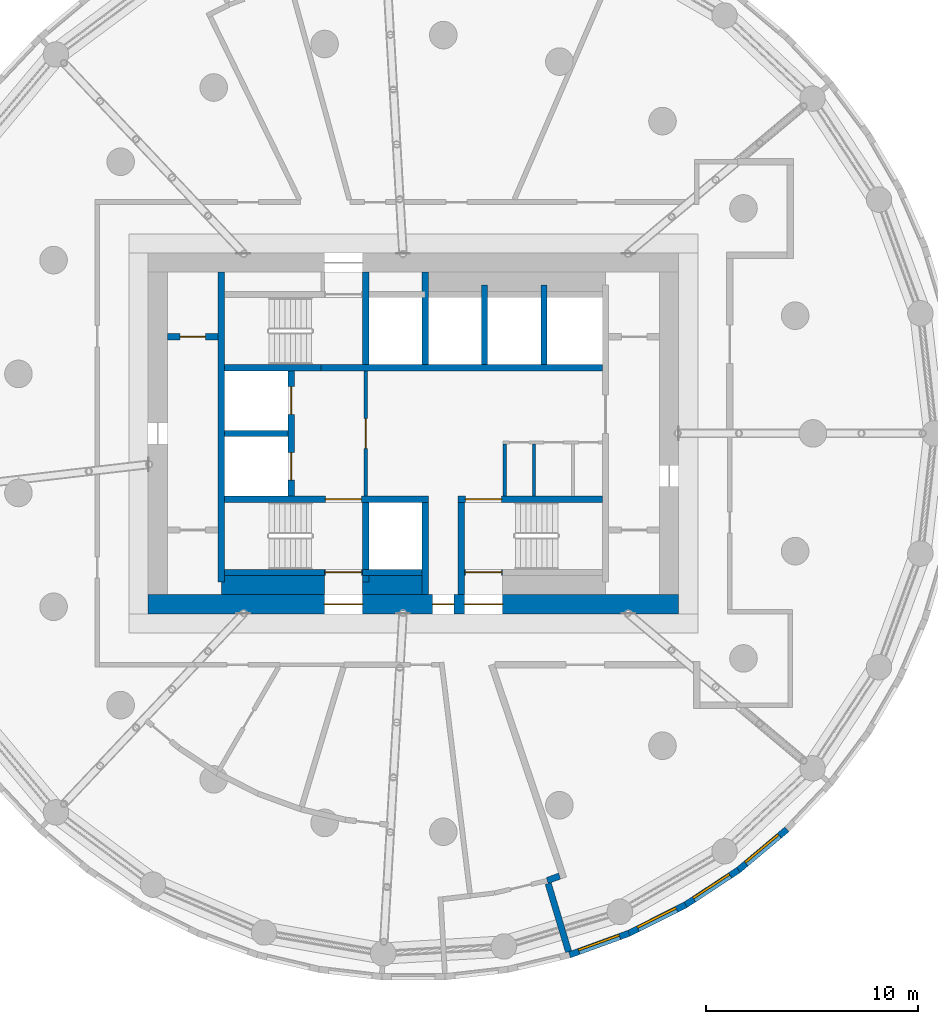
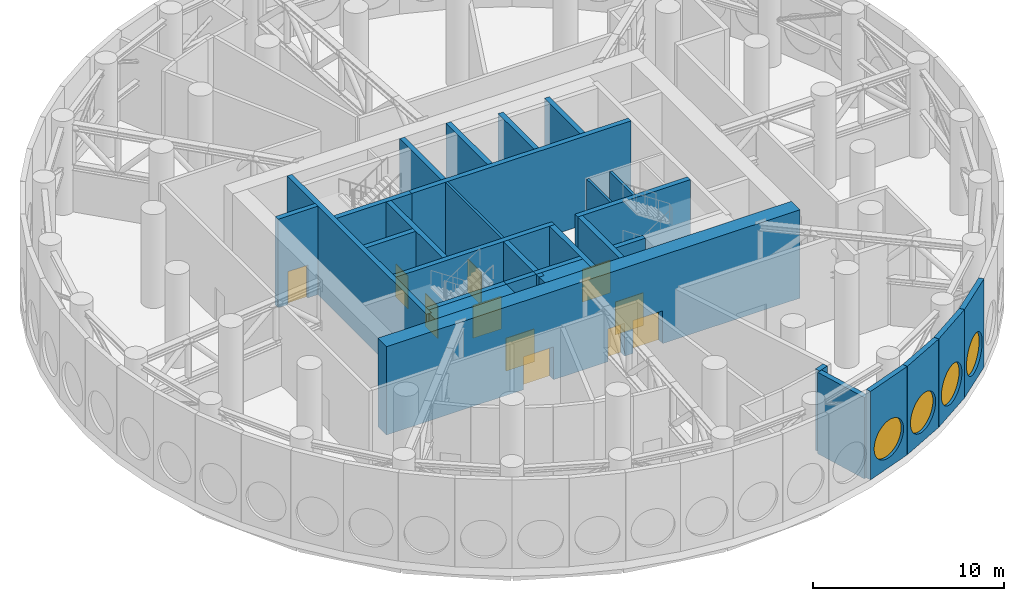
# One storey, part 9 of 15: 31 walls, 11 doors, 4 windows, 15 openings.
"""IFC4 building model written with IfcOpenShell, lengths in metres."""

from ifc_helpers import new_model, si_unit, direction, frame, frame_2d, origin, origin_2d, place, context, subcontext, project, spatial, rectangle, circle, extrude, material, layer, layer_set, type_object, element, fill, save


model = new_model("IFC4")

# Units and contexts
model_context = context("Model", 3, precision=1e-05, world=origin(), true_north=direction((0.0, 1.0)))
body_context = subcontext(model_context, "Body", "Model", "MODEL_VIEW")
ifc_project = project(units=[si_unit("LENGTHUNIT", "METRE"), si_unit("AREAUNIT", "SQUARE_METRE"), si_unit("VOLUMEUNIT", "CUBIC_METRE"), si_unit("PLANEANGLEUNIT", "RADIAN"), si_unit("MASSUNIT", "GRAM", prefix="KILO")], contexts=[model_context])

# Site, building, storey
site_placement = place(None, origin())
site = spatial("IfcSite", under=ifc_project, at=site_placement, CompositionType="ELEMENT")
building_placement = place(site_placement, origin())
building = spatial("IfcBuilding", under=site, at=building_placement, Name="Tracery Tower", CompositionType="ELEMENT")
storey_placement = place(building_placement, frame((0.0, 0.0, 225.0)))
storey = spatial("IfcBuildingStorey", under=building, at=storey_placement, Name="L58 Plant", CompositionType="ELEMENT", Elevation=225.0)

# Wall, opening, door
ifc_material_1 = material(Name="Plasterboard on steel studs", Category="steel")
ifc_layer_1 = layer(ifc_material_1, 0.14990234375)
ifc_layer_set_1 = layer_set([ifc_layer_1], Name="Core lobby partition 150")
wall_type_1 = type_object("IfcWallType", Name="Core lobby partition 150", PredefinedType="SOLIDWALL", material=ifc_layer_set_1)
wall_1_placement = place(storey_placement, frame((-2.25, -2.949951171875, 0.0), z_axis=(0.0, 0.0, 1.0), x_axis=(0.0, 1.0, 0.0)))
wall_1 = element("IfcWall", 1, at=wall_1_placement, inside=storey, type_object=wall_type_1, Name="L58 Plant FF lobby E", PredefinedType="SOLIDWALL", context=body_context, shape_type="SweptSolid", body=[
    extrude(rectangle(XDim=5.89990234375, YDim=0.14990234375, at=frame_2d((2.949951171875, 0.0))), origin(), (0.0, 0.0, 1.0), 5.64990234375),
])
opening_1_placement = place(wall_1_placement, frame((2.25, 0.0, 0.0)))
opening_1 = element("IfcOpeningElement", 2, at=opening_1_placement, cuts=wall_1, Name="Opening KD8", PredefinedType="OPENING", context=body_context, shape_type="SweptSolid", body=[
    extrude(rectangle(XDim=1.39990234375, YDim=2.10009765625, at=frame_2d((0.699951171875, 1.050048828125))), frame((0.0, 0.074951171875, 0.0), z_axis=(0.0, -1.0, 0.0), x_axis=(1.0, 0.0, 0.0)), (0.0, 0.0, 1.0), 0.14990234375),
])
ifc_material_2 = material(Name="Steel fire door", Category="steel")
door_type_1 = type_object("IfcDoorType", Name="Core lobby door 1400 double", OperationType="NOTDEFINED", PredefinedType="DOOR", material=ifc_material_2)
door_1_placement = place(opening_1_placement, origin())
door_1 = element("IfcDoor", 3, at=door_1_placement, inside=storey, type_object=door_type_1, Name="Fire-fighting lobby door", OperationType="DOUBLE_DOOR_SINGLE_SWING", OverallHeight=2.10009765625, OverallWidth=1.39990234375, PredefinedType="DOOR", context=body_context, shape_type="SweptSolid", body=[
    extrude(rectangle(XDim=1.39990234375, YDim=2.10009765625, at=frame_2d((0.699951171875, 1.050048828125))), frame((0.0, 0.02490234375, 0.0), z_axis=(0.0, -1.0, 0.0), x_axis=(1.0, 0.0, 0.0)), (0.0, 0.0, 1.0), 0.050048828125),
])
fill(opening_1, door_1)

# Walls
ifc_material_3 = material(Name="Plasterboard on steel studs", Category="steel")
ifc_layer_2 = layer(ifc_material_3, 0.14990234375)
ifc_layer_set_2 = layer_set([ifc_layer_2], Name="Core room partition 150")
wall_type_2 = type_object("IfcWallType", Name="Core room partition 150", PredefinedType="SOLIDWALL", material=ifc_layer_set_2)
for number, where, z_axis, x_axis, name in (
    (4, (4.300048828125, -2.949951171875, 0.0), (0.0, 0.0, 1.0), (0.0, 1.0, 0.0), "L58 Plant slot W"),
    (5, (5.675048828125, -2.949951171875, 0.0), (0.0, 0.0, 1.0), (0.0, 1.0, 0.0), "L58 Plant slot sep 1"),
):
    element("IfcWall", number, at=place(storey_placement, frame(where, z_axis=z_axis, x_axis=x_axis)), inside=storey, type_object=wall_type_2, Name=name, PredefinedType="SOLIDWALL", context=body_context, shape_type="SweptSolid", body=[
        extrude(rectangle(XDim=2.449951171875, YDim=0.14990234375, at=frame_2d((1.22509765625, 0.0))), origin(), (0.0, 0.0, 1.0), 5.64990234375),
    ])
ifc_material_4 = material(Name="Concrete C50/60", Category="concrete")
ifc_layer_3 = layer(ifc_material_4, 0.89990234375)
ifc_layer_set_3 = layer_set([ifc_layer_3], Name="Core strip wall 900 C50")
wall_type_3 = type_object("IfcWallType", Name="Core strip wall 900 C50", PredefinedType="SOLIDWALL", material=ifc_layer_set_3)
wall_2_placement = place(storey_placement, frame((-9.050048828125, -7.14990234375, 0.0), z_axis=(0.0, 0.0, 1.0), x_axis=(1.0, 0.0, 0.0)))
element("IfcWall", 6, at=wall_2_placement, inside=storey, type_object=wall_type_3, Name="L58 Plant F thick S W", PredefinedType="SOLIDWALL", context=body_context, shape_type="SweptSolid", body=[
    extrude(rectangle(XDim=4.85009765625, YDim=0.89990234375, at=frame_2d((2.425048828125, 0.0))), origin(), (0.0, 0.0, 1.0), 5.64990234375),
])
wall_3_placement = place(storey_placement, frame((-2.39990234375, -7.14990234375, 0.0), z_axis=(0.0, 0.0, 1.0), x_axis=(1.0, 0.0, 0.0)))
element("IfcWall", 7, at=wall_3_placement, inside=storey, type_object=wall_type_3, Name="L58 Plant F thick S mid", PredefinedType="SOLIDWALL", context=body_context, shape_type="SweptSolid", body=[
    extrude(rectangle(XDim=2.7998046875, YDim=0.89990234375, at=frame_2d((1.39990234375, 0.0))), origin(), (0.0, 0.0, 1.0), 5.64990234375),
])

# Wall, openings, doors
ifc_material_5 = material(Name="Concrete C50/60", Category="concrete")
ifc_layer_4 = layer(ifc_material_5, 0.89990234375)
ifc_layer_set_4 = layer_set([ifc_layer_4], Name="Core wall 900 C50")
wall_type_4 = type_object("IfcWallType", Name="Core wall 900 C50", PredefinedType="SOLIDWALL", material=ifc_layer_set_4)
wall_4_placement = place(storey_placement, frame((-12.5, -8.050048828125, 0.0), z_axis=(0.0, 0.0, 1.0), x_axis=(1.0, 0.0, 0.0)))
wall_4 = element("IfcWall", 8, at=wall_4_placement, inside=storey, type_object=wall_type_4, Name="L58 Plant outer S", PredefinedType="SOLIDWALL", context=body_context, shape_type="SweptSolid", body=[
    extrude(rectangle(XDim=25.0, YDim=0.89990234375, at=frame_2d((12.5, 0.0))), origin(), (0.0, 0.0, 1.0), 5.64990234375),
])
opening_2_placement = place(wall_4_placement, frame((13.39990234375, 0.0, 0.0)))
opening_2 = element("IfcOpeningElement", 9, at=opening_2_placement, cuts=wall_4, Name="Opening KD16", PredefinedType="OPENING", context=body_context, shape_type="SweptSolid", body=[
    extrude(rectangle(XDim=1.0, YDim=2.10009765625, at=frame_2d((0.5, 1.050048828125))), frame((0.0, 0.449951171875, 0.0), z_axis=(0.0, -1.0, 0.0), x_axis=(1.0, 0.0, 0.0)), (0.0, 0.0, 1.0), 0.89990234375),
])
opening_3_placement = place(wall_4_placement, frame((8.300048828125, 0.0, 0.0)))
opening_3 = element("IfcOpeningElement", 10, at=opening_3_placement, cuts=wall_4, Name="Opening KD13", PredefinedType="OPENING", context=body_context, shape_type="SweptSolid", body=[
    extrude(rectangle(XDim=1.800048828125, YDim=2.10009765625, at=frame_2d((0.89990234375, 1.050048828125))), frame((0.0, 0.449951171875, 0.0), z_axis=(0.0, -1.0, 0.0), x_axis=(1.0, 0.0, 0.0)), (0.0, 0.0, 1.0), 0.89990234375),
])
opening_4_placement = place(wall_4_placement, frame((14.89990234375, 0.0, 0.0)))
opening_4 = element("IfcOpeningElement", 11, at=opening_4_placement, cuts=wall_4, Name="Opening KD13", PredefinedType="OPENING", context=body_context, shape_type="SweptSolid", body=[
    extrude(rectangle(XDim=1.800048828125, YDim=2.10009765625, at=frame_2d((0.89990234375, 1.050048828125))), frame((0.0, 0.449951171875, 0.0), z_axis=(0.0, -1.0, 0.0), x_axis=(1.0, 0.0, 0.0)), (0.0, 0.0, 1.0), 0.89990234375),
])
ifc_material_6 = material(Name="Steel fire door", Category="steel")
door_type_2 = type_object("IfcDoorType", Name="Core exit door 1000", OperationType="NOTDEFINED", PredefinedType="DOOR", material=ifc_material_6)
door_2_placement = place(opening_2_placement, origin())
door_2 = element("IfcDoor", 12, at=door_2_placement, inside=storey, type_object=door_type_2, Name="Core exit door", OperationType="SINGLE_SWING_LEFT", OverallHeight=2.10009765625, OverallWidth=1.0, PredefinedType="DOOR", context=body_context, shape_type="SweptSolid", body=[
    extrude(rectangle(XDim=1.0, YDim=2.10009765625, at=frame_2d((0.5, 1.050048828125))), frame((0.0, 0.02490234375, 0.0), z_axis=(0.0, -1.0, 0.0), x_axis=(1.0, 0.0, 0.0)), (0.0, 0.0, 1.0), 0.050048828125),
])
fill(opening_2, door_2)
ifc_material_7 = material(Name="Steel fire door", Category="steel")
door_type_3 = type_object("IfcDoorType", Name="Core exit door 1800 double", OperationType="NOTDEFINED", PredefinedType="DOOR", material=ifc_material_7)
door_3_placement = place(opening_3_placement, origin())
door_3 = element("IfcDoor", 13, at=door_3_placement, inside=storey, type_object=door_type_3, Name="Core exit door", OperationType="DOUBLE_DOOR_SINGLE_SWING", OverallHeight=2.10009765625, OverallWidth=1.800048828125, PredefinedType="DOOR", context=body_context, shape_type="SweptSolid", body=[
    extrude(rectangle(XDim=1.800048828125, YDim=2.10009765625, at=frame_2d((0.89990234375, 1.050048828125))), frame((0.0, 0.02490234375, 0.0), z_axis=(0.0, -1.0, 0.0), x_axis=(1.0, 0.0, 0.0)), (0.0, 0.0, 1.0), 0.050048828125),
])
fill(opening_3, door_3)
door_4_placement = place(opening_4_placement, origin())
door_4 = element("IfcDoor", 14, at=door_4_placement, inside=storey, type_object=door_type_3, Name="Core exit door", OperationType="DOUBLE_DOOR_SINGLE_SWING", OverallHeight=2.10009765625, OverallWidth=1.800048828125, PredefinedType="DOOR", context=body_context, shape_type="SweptSolid", body=[
    extrude(rectangle(XDim=1.800048828125, YDim=2.10009765625, at=frame_2d((0.89990234375, 1.050048828125))), frame((0.0, 0.02490234375, 0.0), z_axis=(0.0, -1.0, 0.0), x_axis=(1.0, 0.0, 0.0)), (0.0, 0.0, 1.0), 0.050048828125),
])
fill(opening_4, door_4)

# Wall, opening, window
ifc_material_8 = material(Name="Precast concrete C50/60", Category="concrete")
ifc_layer_5 = layer(ifc_material_8, 0.300048828125)
ifc_layer_set_5 = layer_set([ifc_layer_5], Name="Plant louvre panel 3000 x 5650")
wall_type_5 = type_object("IfcWallType", Name="Plant louvre panel 3000 x 5650", PredefinedType="SOLIDWALL", material=ifc_layer_set_5)
wall_5_placement = place(storey_placement, frame((7.355712890625, -24.570068359375, 0.0), z_axis=(0.0, 0.0, 1.0), x_axis=(0.939676264274, 0.342065079129, 0.0)))
wall_5 = element("IfcWall", 15, at=wall_5_placement, inside=storey, type_object=wall_type_5, Name="Plant louvre panel 44 at L58 Plant", PredefinedType="SOLIDWALL", context=body_context, shape_type="SweptSolid", body=[
    extrude(rectangle(XDim=2.982666015625, YDim=0.300048828125, at=frame_2d((1.4912109375, 0.0))), origin(), (0.0, 0.0, 1.0), 5.64990234375),
])
opening_5_placement = place(wall_5_placement, frame((1.4912109375, 0.0, 1.824951171875)))
opening_5 = element("IfcOpeningElement", 16, at=opening_5_placement, cuts=wall_5, Name="Opening LV2", PredefinedType="OPENING", context=body_context, shape_type="SweptSolid", body=[
    extrude(circle(Radius=1.199951171875, at=origin_2d()), frame((0.0, 0.159912109375, 0.0), z_axis=(0.0, -1.0, 0.0), x_axis=(1.0, 0.0, 0.0)), (0.0, 0.0, 1.0), 0.320068359375),
])
ifc_material_9 = material(Name="Aluminium louvre, bronze anodised", Category="aluminium")
window_type = type_object("IfcWindowType", Name="Louvred oculus 2400, sill 625", PartitioningType="SINGLE_PANEL", PredefinedType="WINDOW", material=ifc_material_9)
window_1_placement = place(opening_5_placement, origin())
window_1 = element("IfcWindow", 17, at=window_1_placement, inside=storey, type_object=window_type, Name="Louvred oculus 44 at L58 Plant", OverallHeight=2.39990234375, OverallWidth=2.39990234375, PartitioningType="SINGLE_PANEL", PredefinedType="WINDOW", context=body_context, shape_type="SweptSolid", body=[
    extrude(circle(Radius=1.199951171875, at=origin_2d()), frame((0.0, 0.1201171875, 0.0), z_axis=(0.0, -1.0, 0.0), x_axis=(1.0, 0.0, 0.0)), (0.0, 0.0, 1.0), 0.10009765625),
])
fill(opening_5, window_1)

wall_6_placement = place(storey_placement, frame((10.158447265625, -23.5498046875, 0.0), z_axis=(0.0, 0.0, 1.0), x_axis=(0.893656390984, 0.448751885626, 0.0)))
wall_6 = element("IfcWall", 18, at=wall_6_placement, inside=storey, type_object=wall_type_5, Name="Plant louvre panel 45 at L58 Plant", PredefinedType="SOLIDWALL", context=body_context, shape_type="SweptSolid", body=[
    extrude(rectangle(XDim=2.982421875, YDim=0.300048828125, at=frame_2d((1.4912109375, 0.0))), origin(), (0.0, 0.0, 1.0), 5.64990234375),
])
opening_6_placement = place(wall_6_placement, frame((1.4912109375, 0.0, 1.824951171875)))
opening_6 = element("IfcOpeningElement", 19, at=opening_6_placement, cuts=wall_6, Name="Opening LV2", PredefinedType="OPENING", context=body_context, shape_type="SweptSolid", body=[
    extrude(circle(Radius=1.199951171875, at=origin_2d()), frame((0.0, 0.159912109375, 0.0), z_axis=(0.0, -1.0, 0.0), x_axis=(1.0, 0.0, 0.0)), (0.0, 0.0, 1.0), 0.320068359375),
])
window_2_placement = place(opening_6_placement, origin())
window_2 = element("IfcWindow", 20, at=window_2_placement, inside=storey, type_object=window_type, Name="Louvred oculus 45 at L58 Plant", OverallHeight=2.39990234375, OverallWidth=2.39990234375, PartitioningType="SINGLE_PANEL", PredefinedType="WINDOW", context=body_context, shape_type="SweptSolid", body=[
    extrude(circle(Radius=1.199951171875, at=origin_2d()), frame((0.0, 0.1201171875, 0.0), z_axis=(0.0, -1.0, 0.0), x_axis=(1.0, 0.0, 0.0)), (0.0, 0.0, 1.0), 0.10009765625),
])
fill(opening_6, window_2)

wall_7_placement = place(storey_placement, frame((12.82373046875, -22.21142578125, 0.0), z_axis=(0.0, 0.0, 1.0), x_axis=(0.835497187922, 0.549494721517, 0.0)))
wall_7 = element("IfcWall", 21, at=wall_7_placement, inside=storey, type_object=wall_type_5, Name="Plant louvre panel 46 at L58 Plant", PredefinedType="SOLIDWALL", context=body_context, shape_type="SweptSolid", body=[
    extrude(rectangle(XDim=2.982666015625, YDim=0.300048828125, at=frame_2d((1.4912109375, 0.0))), origin(), (0.0, 0.0, 1.0), 5.64990234375),
])
opening_7_placement = place(wall_7_placement, frame((1.4912109375, 0.0, 1.824951171875)))
opening_7 = element("IfcOpeningElement", 22, at=opening_7_placement, cuts=wall_7, Name="Opening LV2", PredefinedType="OPENING", context=body_context, shape_type="SweptSolid", body=[
    extrude(circle(Radius=1.199951171875, at=origin_2d()), frame((0.0, 0.159912109375, 0.0), z_axis=(0.0, -1.0, 0.0), x_axis=(1.0, 0.0, 0.0)), (0.0, 0.0, 1.0), 0.320068359375),
])
window_3_placement = place(opening_7_placement, origin())
window_3 = element("IfcWindow", 23, at=window_3_placement, inside=storey, type_object=window_type, Name="Louvred oculus 46 at L58 Plant", OverallHeight=2.39990234375, OverallWidth=2.39990234375, PartitioningType="SINGLE_PANEL", PredefinedType="WINDOW", context=body_context, shape_type="SweptSolid", body=[
    extrude(circle(Radius=1.199951171875, at=origin_2d()), frame((0.0, 0.1201171875, 0.0), z_axis=(0.0, -1.0, 0.0), x_axis=(1.0, 0.0, 0.0)), (0.0, 0.0, 1.0), 0.10009765625),
])
fill(opening_7, window_3)

wall_8_placement = place(storey_placement, frame((15.315673828125, -20.572509765625, 0.0), z_axis=(0.0, 0.0, 1.0), x_axis=(0.766015999952, 0.64282150541, 0.0)))
wall_8 = element("IfcWall", 24, at=wall_8_placement, inside=storey, type_object=wall_type_5, Name="Plant louvre panel 47 at L58 Plant", PredefinedType="SOLIDWALL", context=body_context, shape_type="SweptSolid", body=[
    extrude(rectangle(XDim=2.982421875, YDim=0.300048828125, at=frame_2d((1.4912109375, 0.0))), origin(), (0.0, 0.0, 1.0), 5.64990234375),
])
opening_8_placement = place(wall_8_placement, frame((1.4912109375, 0.0, 1.824951171875)))
opening_8 = element("IfcOpeningElement", 25, at=opening_8_placement, cuts=wall_8, Name="Opening LV2", PredefinedType="OPENING", context=body_context, shape_type="SweptSolid", body=[
    extrude(circle(Radius=1.199951171875, at=origin_2d()), frame((0.0, 0.159912109375, 0.0), z_axis=(0.0, -1.0, 0.0), x_axis=(1.0, 0.0, 0.0)), (0.0, 0.0, 1.0), 0.320068359375),
])
window_4_placement = place(opening_8_placement, origin())
window_4 = element("IfcWindow", 26, at=window_4_placement, inside=storey, type_object=window_type, Name="Louvred oculus 47 at L58 Plant", OverallHeight=2.39990234375, OverallWidth=2.39990234375, PartitioningType="SINGLE_PANEL", PredefinedType="WINDOW", context=body_context, shape_type="SweptSolid", body=[
    extrude(circle(Radius=1.199951171875, at=origin_2d()), frame((0.0, 0.1201171875, 0.0), z_axis=(0.0, -1.0, 0.0), x_axis=(1.0, 0.0, 0.0)), (0.0, 0.0, 1.0), 0.10009765625),
])
fill(opening_8, window_4)

# Wall
ifc_material_10 = material(Name="Concrete C50/60", Category="concrete")
ifc_layer_6 = layer(ifc_material_10, 0.300048828125)
ifc_layer_set_6 = layer_set([ifc_layer_6], Name="Shaft wall 300 C50")
wall_type_6 = type_object("IfcWallType", Name="Shaft wall 300 C50", PredefinedType="SOLIDWALL", material=ifc_layer_set_6)
wall_9_placement = place(storey_placement, frame((-8.89990234375, 0.0, 0.0), z_axis=(0.0, 0.0, 1.0), x_axis=(1.0, 0.0, 0.0)))
element("IfcWall", 27, at=wall_9_placement, inside=storey, type_object=wall_type_6, Name="L58 Plant FF split", PredefinedType="SOLIDWALL", context=body_context, shape_type="SweptSolid", body=[
    extrude(rectangle(XDim=3.0, YDim=0.300048828125, at=frame_2d((1.5, 0.0))), origin(), (0.0, 0.0, 1.0), 5.64990234375),
])

# Wall, openings, doors
wall_10_placement = place(storey_placement, frame((-5.75, -2.949951171875, 0.0), z_axis=(0.0, 0.0, 1.0), x_axis=(0.0, 1.0, 0.0)))
wall_10 = element("IfcWall", 28, at=wall_10_placement, inside=storey, type_object=wall_type_6, Name="L58 Plant FF doors", PredefinedType="SOLIDWALL", context=body_context, shape_type="SweptSolid", body=[
    extrude(rectangle(XDim=5.89990234375, YDim=0.300048828125, at=frame_2d((2.949951171875, 0.0))), origin(), (0.0, 0.0, 1.0), 5.64990234375),
])
opening_9_placement = place(wall_10_placement, frame((0.75, 0.0, 0.0)))
opening_9 = element("IfcOpeningElement", 29, at=opening_9_placement, cuts=wall_10, Name="Opening KD54", PredefinedType="OPENING", context=body_context, shape_type="SweptSolid", body=[
    extrude(rectangle(XDim=1.300048828125, YDim=2.10009765625, at=frame_2d((0.64990234375, 1.050048828125))), frame((0.0, 0.14990234375, 0.0), z_axis=(0.0, -1.0, 0.0), x_axis=(1.0, 0.0, 0.0)), (0.0, 0.0, 1.0), 0.300048828125),
])
opening_10_placement = place(wall_10_placement, frame((3.85009765625, 0.0, 0.0)))
opening_10 = element("IfcOpeningElement", 30, at=opening_10_placement, cuts=wall_10, Name="Opening KD55", PredefinedType="OPENING", context=body_context, shape_type="SweptSolid", body=[
    extrude(rectangle(XDim=1.300048828125, YDim=2.10009765625, at=frame_2d((0.64990234375, 1.050048828125))), frame((0.0, 0.14990234375, 0.0), z_axis=(0.0, -1.0, 0.0), x_axis=(1.0, 0.0, 0.0)), (0.0, 0.0, 1.0), 0.300048828125),
])
ifc_material_11 = material(Name="Steel fire door", Category="steel")
door_type_4 = type_object("IfcDoorType", Name="Landing door FF 1300", OperationType="NOTDEFINED", PredefinedType="DOOR", material=ifc_material_11)
door_5_placement = place(opening_9_placement, origin())
door_5 = element("IfcDoor", 31, at=door_5_placement, inside=storey, type_object=door_type_4, Name="Landing door FF1", OperationType="SLIDING_TO_LEFT", OverallHeight=2.10009765625, OverallWidth=1.300048828125, PredefinedType="DOOR", context=body_context, shape_type="SweptSolid", body=[
    extrude(rectangle(XDim=1.300048828125, YDim=2.10009765625, at=frame_2d((0.64990234375, 1.050048828125))), frame((0.0, 0.02490234375, 0.0), z_axis=(0.0, -1.0, 0.0), x_axis=(1.0, 0.0, 0.0)), (0.0, 0.0, 1.0), 0.050048828125),
])
fill(opening_9, door_5)
door_6_placement = place(opening_10_placement, origin())
door_6 = element("IfcDoor", 32, at=door_6_placement, inside=storey, type_object=door_type_4, Name="Landing door FF2", OperationType="SLIDING_TO_RIGHT", OverallHeight=2.10009765625, OverallWidth=1.300048828125, PredefinedType="DOOR", context=body_context, shape_type="SweptSolid", body=[
    extrude(rectangle(XDim=1.300048828125, YDim=2.10009765625, at=frame_2d((0.64990234375, 1.050048828125))), frame((0.0, 0.02490234375, 0.0), z_axis=(0.0, -1.0, 0.0), x_axis=(1.0, 0.0, 0.0)), (0.0, 0.0, 1.0), 0.050048828125),
])
fill(opening_10, door_6)

# Walls
for number, where, z_axis, x_axis, name in (
    (33, (0.550048828125, -7.60009765625, 0.0), (0.0, 0.0, 1.0), (0.0, 1.0, 0.0), "L58 Plant OB2 E"),
    (34, (0.550048828125, 3.25, 0.0), (0.0, 0.0, 1.0), (0.0, 1.0, 0.0), "L58 Plant HR sep 1"),
):
    element("IfcWall", number, at=place(storey_placement, frame(where, z_axis=z_axis, x_axis=x_axis)), inside=storey, type_object=wall_type_6, Name=name, PredefinedType="SOLIDWALL", context=body_context, shape_type="SweptSolid", body=[
        extrude(rectangle(XDim=4.35009765625, YDim=0.300048828125, at=frame_2d((2.175048828125, 0.0))), origin(), (0.0, 0.0, 1.0), 5.64990234375),
    ])
for number, where, z_axis, x_axis, name in (
    (35, (3.35009765625, 3.25, 0.0), (0.0, 0.0, 1.0), (0.0, 1.0, 0.0), "L58 Plant HR sep 2"),
    (36, (6.14990234375, 3.25, 0.0), (0.0, 0.0, 1.0), (0.0, 1.0, 0.0), "L58 Plant HR sep 3"),
):
    element("IfcWall", number, at=place(storey_placement, frame(where, z_axis=z_axis, x_axis=x_axis)), inside=storey, type_object=wall_type_6, Name=name, PredefinedType="SOLIDWALL", context=body_context, shape_type="SweptSolid", body=[
        extrude(rectangle(XDim=3.75, YDim=0.300048828125, at=frame_2d((1.875, 0.0))), origin(), (0.0, 0.0, 1.0), 5.64990234375),
    ])

# Wall, opening, door
wall_11_placement = place(storey_placement, frame((-11.60009765625, 4.550048828125, 0.0), z_axis=(0.0, 0.0, 1.0), x_axis=(1.0, 0.0, 0.0)))
wall_11 = element("IfcWall", 37, at=wall_11_placement, inside=storey, type_object=wall_type_6, Name="L58 Plant MR W +4.55", PredefinedType="SOLIDWALL", context=body_context, shape_type="SweptSolid", body=[
    extrude(rectangle(XDim=2.400146484375, YDim=0.300048828125, at=frame_2d((1.2001953125, 0.0))), origin(), (0.0, 0.0, 1.0), 5.64990234375),
])
opening_11_placement = place(wall_11_placement, frame((0.60009765625, 0.0, 0.0)))
opening_11 = element("IfcOpeningElement", 38, at=opening_11_placement, cuts=wall_11, Name="Opening KD41", PredefinedType="OPENING", context=body_context, shape_type="SweptSolid", body=[
    extrude(rectangle(XDim=1.199951171875, YDim=2.10009765625, at=frame_2d((0.60009765625, 1.050048828125))), frame((0.0, 0.14990234375, 0.0), z_axis=(0.0, -1.0, 0.0), x_axis=(1.0, 0.0, 0.0)), (0.0, 0.0, 1.0), 0.300048828125),
])
ifc_material_12 = material(Name="Steel fire door", Category="steel")
door_type_5 = type_object("IfcDoorType", Name="Core plant door 1200", OperationType="NOTDEFINED", PredefinedType="DOOR", material=ifc_material_12)
door_7_placement = place(opening_11_placement, origin())
door_7 = element("IfcDoor", 39, at=door_7_placement, inside=storey, type_object=door_type_5, Name="Machine room door MR2", OperationType="SINGLE_SWING_LEFT", OverallHeight=2.10009765625, OverallWidth=1.199951171875, PredefinedType="DOOR", context=body_context, shape_type="SweptSolid", body=[
    extrude(rectangle(XDim=1.199951171875, YDim=2.10009765625, at=frame_2d((0.60009765625, 1.050048828125))), frame((0.0, 0.02490234375, 0.0), z_axis=(0.0, -1.0, 0.0), x_axis=(1.0, 0.0, 0.0)), (0.0, 0.0, 1.0), 0.050048828125),
])
fill(opening_11, door_7)

ifc_material_13 = material(Name="Concrete C50/60", Category="concrete")
ifc_layer_7 = layer(ifc_material_13, 0.300048828125)
ifc_layer_set_7 = layer_set([ifc_layer_7], Name="Stair wall 300 C50")
wall_type_7 = type_object("IfcWallType", Name="Stair wall 300 C50", PredefinedType="SOLIDWALL", material=ifc_layer_set_7)
wall_12_placement = place(storey_placement, frame((-8.89990234375, -3.10009765625, 0.0), z_axis=(0.0, 0.0, 1.0), x_axis=(1.0, 0.0, 0.0)))
wall_12 = element("IfcWall", 40, at=wall_12_placement, inside=storey, type_object=wall_type_7, Name="L58 Plant row S", PredefinedType="SOLIDWALL", context=body_context, shape_type="SweptSolid", body=[
    extrude(rectangle(XDim=9.599853515625, YDim=0.300048828125, at=frame_2d((4.7998046875, 0.0))), origin(), (0.0, 0.0, 1.0), 5.64990234375),
])
opening_12_placement = place(wall_12_placement, frame((4.75, 0.0, 0.0)))
opening_12 = element("IfcOpeningElement", 41, at=opening_12_placement, cuts=wall_12, Name="Opening KD3", PredefinedType="OPENING", context=body_context, shape_type="SweptSolid", body=[
    extrude(rectangle(XDim=1.699951171875, YDim=2.10009765625, at=frame_2d((0.85009765625, 1.050048828125))), frame((0.0, 0.14990234375, 0.0), z_axis=(0.0, -1.0, 0.0), x_axis=(1.0, 0.0, 0.0)), (0.0, 0.0, 1.0), 0.300048828125),
])
ifc_material_14 = material(Name="Steel fire door", Category="steel")
door_type_6 = type_object("IfcDoorType", Name="Core stair door 1700 double", OperationType="NOTDEFINED", PredefinedType="DOOR", material=ifc_material_14)
door_8_placement = place(opening_12_placement, origin())
door_8 = element("IfcDoor", 42, at=door_8_placement, inside=storey, type_object=door_type_6, Name="Stair door ST1", OperationType="DOUBLE_DOOR_SINGLE_SWING", OverallHeight=2.10009765625, OverallWidth=1.699951171875, PredefinedType="DOOR", context=body_context, shape_type="SweptSolid", body=[
    extrude(rectangle(XDim=1.699951171875, YDim=2.10009765625, at=frame_2d((0.85009765625, 1.050048828125))), frame((0.0, 0.02490234375, 0.0), z_axis=(0.0, -1.0, 0.0), x_axis=(1.0, 0.0, 0.0)), (0.0, 0.0, 1.0), 0.050048828125),
])
fill(opening_12, door_8)

wall_13_placement = place(storey_placement, frame((2.10009765625, -3.10009765625, 0.0), z_axis=(0.0, 0.0, 1.0), x_axis=(1.0, 0.0, 0.0)))
wall_13 = element("IfcWall", 43, at=wall_13_placement, inside=storey, type_object=wall_type_7, Name="L58 Plant row S E", PredefinedType="SOLIDWALL", context=body_context, shape_type="SweptSolid", body=[
    extrude(rectangle(XDim=6.7998046875, YDim=0.300048828125, at=frame_2d((3.39990234375, 0.0))), origin(), (0.0, 0.0, 1.0), 5.64990234375),
])
opening_13_placement = place(wall_13_placement, frame((0.35009765625, 0.0, 0.0)))
opening_13 = element("IfcOpeningElement", 44, at=opening_13_placement, cuts=wall_13, Name="Opening KD3", PredefinedType="OPENING", context=body_context, shape_type="SweptSolid", body=[
    extrude(rectangle(XDim=1.699951171875, YDim=2.10009765625, at=frame_2d((0.85009765625, 1.050048828125))), frame((0.0, 0.14990234375, 0.0), z_axis=(0.0, -1.0, 0.0), x_axis=(1.0, 0.0, 0.0)), (0.0, 0.0, 1.0), 0.300048828125),
])
door_9_placement = place(opening_13_placement, origin())
door_9 = element("IfcDoor", 45, at=door_9_placement, inside=storey, type_object=door_type_6, Name="Stair door ST2", OperationType="DOUBLE_DOOR_SINGLE_SWING", OverallHeight=2.10009765625, OverallWidth=1.699951171875, PredefinedType="DOOR", context=body_context, shape_type="SweptSolid", body=[
    extrude(rectangle(XDim=1.699951171875, YDim=2.10009765625, at=frame_2d((0.85009765625, 1.050048828125))), frame((0.0, 0.02490234375, 0.0), z_axis=(0.0, -1.0, 0.0), x_axis=(1.0, 0.0, 0.0)), (0.0, 0.0, 1.0), 0.050048828125),
])
fill(opening_13, door_9)

# Walls
wall_14_placement = place(storey_placement, frame((-8.89990234375, 3.10009765625, 0.0), z_axis=(0.0, 0.0, 1.0), x_axis=(1.0, 0.0, 0.0)))
element("IfcWall", 46, at=wall_14_placement, inside=storey, type_object=wall_type_7, Name="L58 Plant row N W", PredefinedType="SOLIDWALL", context=body_context, shape_type="SweptSolid", body=[
    extrude(rectangle(XDim=4.5498046875, YDim=0.300048828125, at=frame_2d((2.27490234375, 0.0))), origin(), (0.0, 0.0, 1.0), 5.64990234375),
])
wall_15_placement = place(storey_placement, frame((-4.35009765625, 3.10009765625, 0.0), z_axis=(0.0, 0.0, 1.0), x_axis=(1.0, 0.0, 0.0)))
element("IfcWall", 47, at=wall_15_placement, inside=storey, type_object=wall_type_7, Name="L58 Plant row N", PredefinedType="SOLIDWALL", context=body_context, shape_type="SweptSolid", body=[
    extrude(rectangle(XDim=13.25, YDim=0.300048828125, at=frame_2d((6.625, 0.0))), origin(), (0.0, 0.0, 1.0), 5.64990234375),
])
wall_16_placement = place(storey_placement, frame((-2.25, -7.0, 0.0), z_axis=(0.0, 0.0, 1.0), x_axis=(0.0, 1.0, 0.0)))
element("IfcWall", 48, at=wall_16_placement, inside=storey, type_object=wall_type_7, Name="L58 Plant ST1 E", PredefinedType="SOLIDWALL", context=body_context, shape_type="SweptSolid", body=[
    extrude(rectangle(XDim=3.75, YDim=0.300048828125, at=frame_2d((1.875, 0.0))), origin(), (0.0, 0.0, 1.0), 5.64990234375),
])
for number, where, z_axis, x_axis, name in (
    (49, (-2.25, 3.25, 0.0), (0.0, 0.0, 1.0), (0.0, 1.0, 0.0), "L58 Plant ST3 E"),
    (50, (2.25, -7.60009765625, 0.0), (0.0, 0.0, 1.0), (0.0, 1.0, 0.0), "L58 Plant ST2 W"),
):
    element("IfcWall", number, at=place(storey_placement, frame(where, z_axis=z_axis, x_axis=x_axis)), inside=storey, type_object=wall_type_7, Name=name, PredefinedType="SOLIDWALL", context=body_context, shape_type="SweptSolid", body=[
        extrude(rectangle(XDim=4.35009765625, YDim=0.300048828125, at=frame_2d((2.175048828125, 0.0))), origin(), (0.0, 0.0, 1.0), 5.64990234375),
    ])
wall_17_placement = place(storey_placement, frame((-9.050048828125, -7.0, 0.0), z_axis=(0.0, 0.0, 1.0), x_axis=(0.0, 1.0, 0.0)))
element("IfcWall", 51, at=wall_17_placement, inside=storey, type_object=wall_type_7, Name="L58 Plant F wall -9", PredefinedType="SOLIDWALL", context=body_context, shape_type="SweptSolid", body=[
    extrude(rectangle(XDim=14.60009765625, YDim=0.300048828125, at=frame_2d((7.300048828125, 0.0))), origin(), (0.0, 0.0, 1.0), 5.64990234375),
])
wall_18_placement = place(storey_placement, frame((-8.89990234375, -6.550048828125, 0.0), z_axis=(0.0, 0.0, 1.0), x_axis=(1.0, 0.0, 0.0)))
element("IfcWall", 52, at=wall_18_placement, inside=storey, type_object=wall_type_7, Name="L58 Plant F stair strip S W", PredefinedType="SOLIDWALL", context=body_context, shape_type="SweptSolid", body=[
    extrude(rectangle(XDim=4.699951171875, YDim=0.300048828125, at=frame_2d((2.35009765625, 0.0))), origin(), (0.0, 0.0, 1.0), 5.64990234375),
])
wall_19_placement = place(storey_placement, frame((-2.39990234375, -6.550048828125, 0.0), z_axis=(0.0, 0.0, 1.0), x_axis=(1.0, 0.0, 0.0)))
element("IfcWall", 53, at=wall_19_placement, inside=storey, type_object=wall_type_7, Name="L58 Plant F stair strip S mid", PredefinedType="SOLIDWALL", context=body_context, shape_type="SweptSolid", body=[
    extrude(rectangle(XDim=2.7998046875, YDim=0.300048828125, at=frame_2d((1.39990234375, 0.0))), origin(), (0.0, 0.0, 1.0), 5.64990234375),
])

# Wall, opening, door
wall_20_placement = place(storey_placement, frame((-4.199951171875, -6.550048828125, 0.0), z_axis=(0.0, 0.0, 1.0), x_axis=(1.0, 0.0, 0.0)))
wall_20 = element("IfcWall", 54, at=wall_20_placement, inside=storey, type_object=wall_type_7, Name="L58 Plant F stair S W", PredefinedType="SOLIDWALL", context=body_context, shape_type="SweptSolid", body=[
    extrude(rectangle(XDim=1.800048828125, YDim=0.300048828125, at=frame_2d((0.89990234375, 0.0))), origin(), (0.0, 0.0, 1.0), 5.64990234375),
])
opening_14_placement = place(wall_20_placement, frame((0.050048828125, 0.0, 0.0)))
opening_14 = element("IfcOpeningElement", 55, at=opening_14_placement, cuts=wall_20, Name="Opening KD3", PredefinedType="OPENING", context=body_context, shape_type="SweptSolid", body=[
    extrude(rectangle(XDim=1.699951171875, YDim=2.10009765625, at=frame_2d((0.85009765625, 1.050048828125))), frame((0.0, 0.14990234375, 0.0), z_axis=(0.0, -1.0, 0.0), x_axis=(1.0, 0.0, 0.0)), (0.0, 0.0, 1.0), 0.300048828125),
])
door_10_placement = place(opening_14_placement, origin())
door_10 = element("IfcDoor", 56, at=door_10_placement, inside=storey, type_object=door_type_6, Name="Stair door vest", OperationType="DOUBLE_DOOR_SINGLE_SWING", OverallHeight=2.10009765625, OverallWidth=1.699951171875, PredefinedType="DOOR", context=body_context, shape_type="SweptSolid", body=[
    extrude(rectangle(XDim=1.699951171875, YDim=2.10009765625, at=frame_2d((0.85009765625, 1.050048828125))), frame((0.0, 0.02490234375, 0.0), z_axis=(0.0, -1.0, 0.0), x_axis=(1.0, 0.0, 0.0)), (0.0, 0.0, 1.0), 0.050048828125),
])
fill(opening_14, door_10)

wall_21_placement = place(storey_placement, frame((2.39990234375, -6.550048828125, 0.0), z_axis=(0.0, 0.0, 1.0), x_axis=(1.0, 0.0, 0.0)))
wall_21 = element("IfcWall", 57, at=wall_21_placement, inside=storey, type_object=wall_type_7, Name="L58 Plant F stair S E", PredefinedType="SOLIDWALL", context=body_context, shape_type="SweptSolid", body=[
    extrude(rectangle(XDim=1.800048828125, YDim=0.300048828125, at=frame_2d((0.89990234375, 0.0))), origin(), (0.0, 0.0, 1.0), 5.64990234375),
])
opening_15_placement = place(wall_21_placement, frame((0.050048828125, 0.0, 0.0)))
opening_15 = element("IfcOpeningElement", 58, at=opening_15_placement, cuts=wall_21, Name="Opening KD3", PredefinedType="OPENING", context=body_context, shape_type="SweptSolid", body=[
    extrude(rectangle(XDim=1.699951171875, YDim=2.10009765625, at=frame_2d((0.85009765625, 1.050048828125))), frame((0.0, 0.14990234375, 0.0), z_axis=(0.0, -1.0, 0.0), x_axis=(1.0, 0.0, 0.0)), (0.0, 0.0, 1.0), 0.300048828125),
])
door_11_placement = place(opening_15_placement, origin())
door_11 = element("IfcDoor", 59, at=door_11_placement, inside=storey, type_object=door_type_6, Name="Stair door vest", OperationType="DOUBLE_DOOR_SINGLE_SWING", OverallHeight=2.10009765625, OverallWidth=1.699951171875, PredefinedType="DOOR", context=body_context, shape_type="SweptSolid", body=[
    extrude(rectangle(XDim=1.699951171875, YDim=2.10009765625, at=frame_2d((0.85009765625, 1.050048828125))), frame((0.0, 0.02490234375, 0.0), z_axis=(0.0, -1.0, 0.0), x_axis=(1.0, 0.0, 0.0)), (0.0, 0.0, 1.0), 0.050048828125),
])
fill(opening_15, door_11)

# Walls
ifc_material_15 = material(Name="Concrete blockwork", Category="masonry")
ifc_layer_8 = layer(ifc_material_15, 0.300048828125)
ifc_layer_set_8 = layer_set([ifc_layer_8], Name="Transformer room block wall 300")
wall_type_8 = type_object("IfcWallType", Name="Transformer room block wall 300", PredefinedType="PARTITIONING", material=ifc_layer_set_8)
wall_22_placement = place(storey_placement, frame((6.30712890625, -21.0673828125, 0.0), z_axis=(0.0, 0.0, 1.0), x_axis=(0.93966634231, 0.342092334216, 0.0)))
element("IfcWall", 60, at=wall_22_placement, inside=storey, type_object=wall_type_8, Name="Transformer room block wall 300", PredefinedType="PARTITIONING", context=body_context, shape_type="SweptSolid", body=[
    extrude(rectangle(XDim=0.617431640625, YDim=0.300048828125, at=frame_2d((0.30859375, 0.0))), origin(), (0.0, 0.0, 1.0), 5.199951171875),
])
wall_23_placement = place(storey_placement, frame((7.312744140625, -24.426025390625, 0.0), z_axis=(0.0, 0.0, 1.0), x_axis=(-0.286787181077, 0.957994317713, 0.0)))
element("IfcWall", 61, at=wall_23_placement, inside=storey, type_object=wall_type_8, Name="Transformer room block wall 300", PredefinedType="PARTITIONING", context=body_context, shape_type="SweptSolid", body=[
    extrude(rectangle(XDim=3.355712890625, YDim=0.300048828125, at=frame_2d((1.677734375, 0.0))), origin(), (0.0, 0.0, 1.0), 5.199951171875),
])

save(model, "model.ifc")
